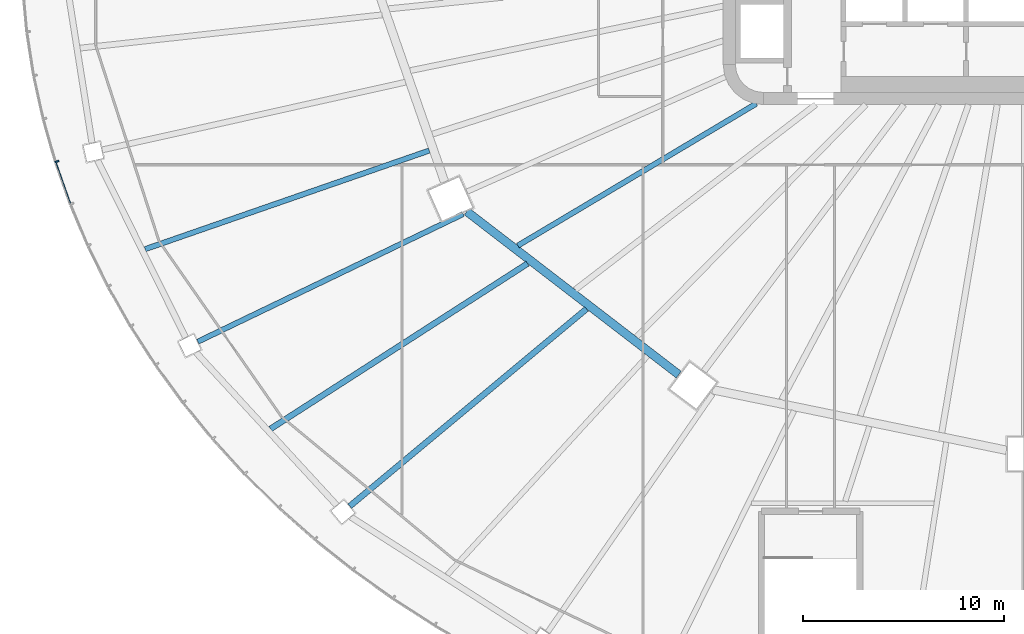
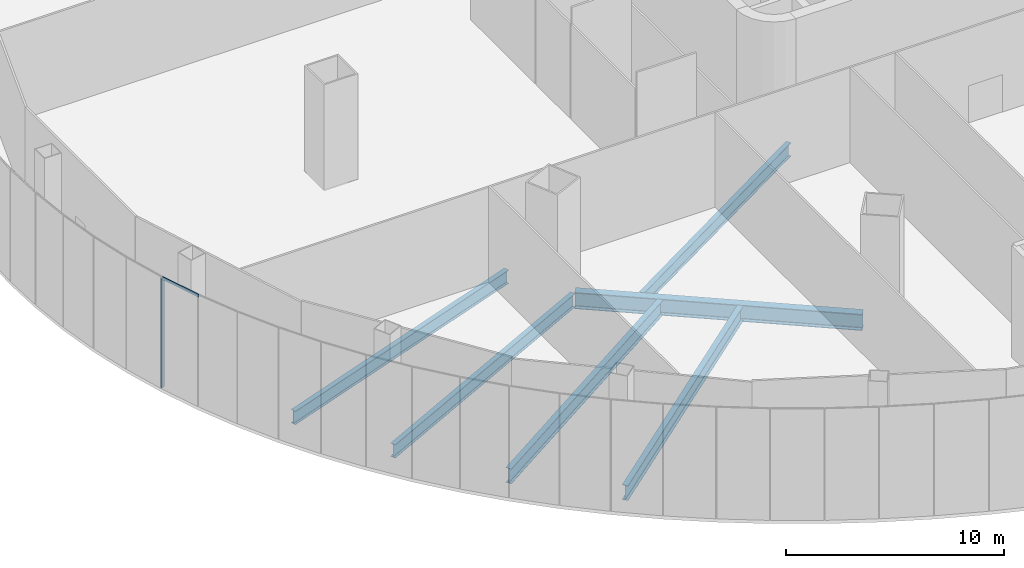
# One storey, part 3 of 33: 6 beams, 2 members, 1 element without a shape of its own.
"""IFC4 building model written with IfcOpenShell, lengths in metres."""

import ifcopenshell
import ifcopenshell.guid

model = None  # the IFC model being written
_history = None  # IfcOwnerHistory: only IFC2X3 demands one
_inside = {}  # id of a spatial element -> (the spatial element, [elements in it])
_under = {}  # id of a project, library or spatial element -> (it, [spatial elements below it])
_declared = {}  # id of a project -> (the project, [libraries it declares])
_typed = {}  # id of a type object -> (the type object, [elements of that type])
_made_of = {}  # id of a material, layer set ... -> (it, [elements and type objects made of it])


def new_model(schema):
    """Start an empty IFC model of exactly this schema.

    Asked for "IFC4X3", IfcOpenShell would pick the latest addendum, in which some entities
    have other attributes; the version numbers below select the first issue.
    IFC2X3 requires an IfcOwnerHistory on every rooted entity: one is made here for all.
    """
    global model, _history
    if schema == "IFC4X3":
        model = ifcopenshell.file(schema_version=(4, 3, 0, 0))
    else:
        model = ifcopenshell.file(schema=schema)
    _inside.clear()
    _under.clear()
    _declared.clear()
    _typed.clear()
    _made_of.clear()
    _history = None
    if model.schema == "IFC2X3":
        org = make("IfcOrganization", Name="unknown")
        user = make(
            "IfcPersonAndOrganization",
            ThePerson=make("IfcPerson", FamilyName="unknown"),
            TheOrganization=org,
        )
        app = make(
            "IfcApplication",
            ApplicationDeveloper=org,
            Version="unknown",
            ApplicationFullName="unknown",
            ApplicationIdentifier="unknown",
        )
        _history = make(
            "IfcOwnerHistory",
            OwningUser=user,
            OwningApplication=app,
            ChangeAction="ADDED",
            CreationDate=0,
        )
    return model


def make(cls, **values):
    """One entity of the class cls with the attributes given. An attribute that is None is left unset."""
    return model.create_entity(
        cls, **{name: value for name, value in values.items() if value is not None}
    )


def rooted(cls, **values):
    """An entity with a GlobalId (a new one), such as an element, a storey or a relation."""
    return make(cls, GlobalId=ifcopenshell.guid.new(), OwnerHistory=_history, **values)


def si_unit(unit_type, name, prefix=None):
    """IfcSIUnit, for example si_unit("LENGTHUNIT", "METRE", prefix="MILLI")."""
    return make("IfcSIUnit", UnitType=unit_type, Prefix=prefix, Name=name)


def assignment(units):
    """IfcUnitAssignment: the units of a project."""
    return None if units is None else make("IfcUnitAssignment", Units=units)


def point(xyz):
    """IfcCartesianPoint."""
    return None if xyz is None else make("IfcCartesianPoint", Coordinates=xyz)


def direction(xyz):
    """IfcDirection."""
    return None if xyz is None else make("IfcDirection", DirectionRatios=xyz)


def frame(location, z_axis=None, x_axis=None):
    """IfcAxis2Placement3D, a coordinate frame: its origin and axes. An axis left out is left unset."""
    return make(
        "IfcAxis2Placement3D",
        Location=point(location),
        Axis=direction(z_axis),
        RefDirection=direction(x_axis),
    )


def frame_2d(location, x_axis=None):
    """IfcAxis2Placement2D, a coordinate frame in the plane: its origin and x axis."""
    return make(
        "IfcAxis2Placement2D", Location=point(location), RefDirection=direction(x_axis)
    )


def origin():
    """The frame at (0, 0, 0) with its axes left unset."""
    return frame((0.0, 0.0, 0.0))


def origin_2d():
    """The frame at (0, 0) in the plane with its x axis left unset."""
    return frame_2d((0.0, 0.0))


def place(relative_to, where):
    """IfcLocalPlacement: puts the frame where relative to a parent placement (None: the world)."""
    return make(
        "IfcLocalPlacement", PlacementRelTo=relative_to, RelativePlacement=where
    )


def context(
    kind, dimensions, precision=None, world=None, true_north=None, identifier=None
):
    """IfcGeometricRepresentationContext, for example the 3D "Model" context."""
    return make(
        "IfcGeometricRepresentationContext",
        ContextIdentifier=identifier,
        ContextType=kind,
        CoordinateSpaceDimension=dimensions,
        Precision=precision,
        WorldCoordinateSystem=world,
        TrueNorth=true_north,
    )


def subcontext(parent, identifier, kind, view, scale=None):
    """IfcGeometricRepresentationSubContext, for example "Body" below "Model"."""
    return make(
        "IfcGeometricRepresentationSubContext",
        ContextIdentifier=identifier,
        ContextType=kind,
        ParentContext=parent,
        TargetScale=scale,
        TargetView=view,
    )


def project(units=None, contexts=None):
    """IfcProject with its units and contexts."""
    return rooted(
        "IfcProject",
        Name="project",
        RepresentationContexts=contexts,
        UnitsInContext=assignment(units),
    )


def spatial(cls, under=None, at=None, **own):
    """A site, building, storey or space (cls), placed at a placement, below another one or the project."""
    s = rooted(cls, ObjectPlacement=at, **own)
    if under is not None:
        _under.setdefault(under.id(), (under, []))[1].append(s)
    return s


def profile(cls, at=None, kind="AREA", **sizes):
    """A parametric profile (cls). Its sizes go by their IFC names, for example OverallWidth=200.0."""
    return make(cls, ProfileType=kind, Position=at, **sizes)


def rectangle(**sizes):
    """IfcRectangleProfileDef."""
    return profile("IfcRectangleProfileDef", **sizes)


def i_section(**sizes):
    """IfcIShapeProfileDef."""
    return profile("IfcIShapeProfileDef", **sizes)


def extrude(swept, where, along, depth):
    """IfcExtrudedAreaSolid: the profile swept, set in the frame where, extruded along a direction by depth."""
    return make(
        "IfcExtrudedAreaSolid",
        SweptArea=swept,
        Position=where,
        ExtrudedDirection=direction(along),
        Depth=depth,
    )


def shape(context_of_items, identifier, shape_type, items):
    """IfcShapeRepresentation: the items that make up one representation, for example the "Body"."""
    return make(
        "IfcShapeRepresentation",
        ContextOfItems=context_of_items,
        RepresentationIdentifier=identifier,
        RepresentationType=shape_type,
        Items=items,
    )


def material(Name=None, Category=None):
    """IfcMaterial."""
    return make("IfcMaterial", Name=Name, Category=Category)


def layer(
    of_material, thickness, ventilated=None, Name=None, Category=None, Priority=None
):
    """IfcMaterialLayer: one layer of a wall or slab, of a material (None: an air gap)."""
    return make(
        "IfcMaterialLayer",
        Material=of_material,
        LayerThickness=thickness,
        IsVentilated=ventilated,
        Name=Name,
        Category=Category,
        Priority=Priority,
    )


def layer_set(layers, Name=None):
    """IfcMaterialLayerSet."""
    return make("IfcMaterialLayerSet", MaterialLayers=layers, LayerSetName=Name)


def material_profile(
    of_material, cross_section, Name=None, Category=None, Priority=None
):
    """IfcMaterialProfile: a cross section and its material."""
    return make(
        "IfcMaterialProfile",
        Name=Name,
        Material=of_material,
        Profile=cross_section,
        Priority=Priority,
        Category=Category,
    )


def profile_set(profiles, Name=None, composite=None):
    """IfcMaterialProfileSet."""
    return make(
        "IfcMaterialProfileSet",
        Name=Name,
        MaterialProfiles=profiles,
        CompositeProfile=composite,
    )


def made_of(thing, what):
    """Note that an element or type object is made of a material, layer set ...; save() writes the relation."""
    if what is not None:
        _made_of.setdefault(what.id(), (what, []))[1].append(thing)
    return thing


def type_object(cls, material=None, **own):
    """A type object (cls), such as IfcWallType, which elements share."""
    return made_of(rooted(cls, **own), material)


def element(
    cls,
    number,
    at=None,
    inside=None,
    cuts=None,
    type_object=None,
    material=None,
    context=None,
    identifier="Body",
    shape_type=None,
    held_by="IfcProductDefinitionShape",
    body=None,
    shapes=None,
    **own,
):
    """One element of the class cls, such as IfcWall. Its Tag is "e" and its number.

    at: its placement. inside: the storey or other place that contains it. cuts: it is an
    opening in that element (IfcRelVoidsElement). A single representation is given by context,
    identifier, shape_type and body (its items); several are given by shapes. held_by: the class
    of the entity that holds the representations. save() writes the other relations.
    """
    e = rooted(cls, Tag="e%d" % number, ObjectPlacement=at, **own)
    if body is not None:
        shapes = [shape(context, identifier, shape_type, body)]
    if shapes is not None:
        e.Representation = make(held_by, Representations=shapes)
    if inside is not None:
        _inside.setdefault(inside.id(), (inside, []))[1].append(e)
    if cuts is not None:
        rooted(
            "IfcRelVoidsElement", RelatingBuildingElement=cuts, RelatedOpeningElement=e
        )
    if type_object is not None:
        _typed.setdefault(type_object.id(), (type_object, []))[1].append(e)
    return made_of(e, material)


def aggregate(whole, parts):
    """IfcRelAggregates: a whole, such as a stair, and the parts it consists of."""
    return rooted("IfcRelAggregates", RelatingObject=whole, RelatedObjects=parts)


def save(model, path):
    """Write the relations noted so far, then the file.

    IfcRelAggregates (storeys below a building ...), IfcRelContainedInSpatialStructure (elements
    in a storey), IfcRelDefinesByType, IfcRelAssociatesMaterial and IfcRelDeclares: one each for
    every whole, place, type object, material and project.
    """
    for whole, parts in _under.values():
        aggregate(whole, parts)
    for where, things in _inside.values():
        rooted(
            "IfcRelContainedInSpatialStructure",
            RelatedElements=things,
            RelatingStructure=where,
        )
    for kind, things in _typed.values():
        rooted("IfcRelDefinesByType", RelatedObjects=things, RelatingType=kind)
    for what, things in _made_of.values():
        rooted("IfcRelAssociatesMaterial", RelatedObjects=things, RelatingMaterial=what)
    for by, libraries in _declared.values():
        rooted("IfcRelDeclares", RelatingContext=by, RelatedDefinitions=libraries)
    model.write(path)


model = new_model("IFC4")

# Units and contexts
model_context = context("Model", 3, precision=1e-05, world=origin(), true_north=direction((0.0, 1.0)))
body_context = subcontext(model_context, "Body", "Model", "MODEL_VIEW")
ifc_project = project(units=[si_unit("LENGTHUNIT", "METRE"), si_unit("AREAUNIT", "SQUARE_METRE"), si_unit("VOLUMEUNIT", "CUBIC_METRE"), si_unit("PLANEANGLEUNIT", "RADIAN"), si_unit("MASSUNIT", "GRAM", prefix="KILO")], contexts=[model_context])

# Site, building, storey
site_placement = place(None, origin())
site = spatial("IfcSite", under=ifc_project, at=site_placement, CompositionType="ELEMENT")
building_placement = place(site_placement, origin())
building = spatial("IfcBuilding", under=site, at=building_placement, Name="Sahrelin Media Tower", CompositionType="ELEMENT")
storey_placement = place(building_placement, frame((0.0, 0.0, 37.39990234375)))
storey = spatial("IfcBuildingStorey", under=building, at=storey_placement, Name="L05", CompositionType="ELEMENT", Elevation=37.39990234375)

# Curtain wall, member
ifc_material_1 = material(Name="Champagne anodised aluminium 6063-T6", Category="aluminium")
ifc_layer = layer(ifc_material_1, 0.14990234375)
ifc_layer_set = layer_set([ifc_layer], Name="Podium ribbon curtain wall")
curtain_wall_type = type_object("IfcCurtainWallType", Name="Podium ribbon curtain wall", PredefinedType="NOTDEFINED", material=ifc_layer_set)
curtain_wall_placement = place(storey_placement, frame((-48.29638671875, -10.870361328125, 0.0), z_axis=(0.0, 0.0, 1.0), x_axis=(1.0, 0.0, 0.0)))
curtain_wall = element("IfcCurtainWall", 1, at=curtain_wall_placement, inside=storey, type_object=curtain_wall_type, Name="L05:CW:L05-P13", PredefinedType="NOTDEFINED")
ifc_material_profile_1 = material_profile(ifc_material_1, rectangle(XDim=0.080078125, YDim=0.199951171875, at=origin_2d()), Name="Mullion 80x200")
ifc_profile_set_1 = profile_set([ifc_material_profile_1], Name="Champagne anodised aluminium 6063-T6")
member_type_1 = type_object("IfcMemberType", Name="Mullion 80x200 CW5", PredefinedType="MULLION", material=ifc_profile_set_1)
member_1_placement = place(storey_placement, frame((-48.18310546875, -10.83056640625, 0.0), z_axis=(0.0, 0.0, 1.0), x_axis=(0.332579242691, -0.943075313711, 0.0)))
member_1 = element("IfcMember", 2, at=member_1_placement, type_object=member_type_1, Name="L05:CWM1:L05-P13", PredefinedType="MULLION", context=body_context, shape_type="SweptSolid", body=[
    extrude(rectangle(XDim=0.080078125, YDim=0.199951171875, at=origin_2d()), origin(), (0.0, 0.0, 1.0), 6.10009765625),
])

# Beams
ifc_material_2 = material(Name="Steel S355", Category="steel")
ifc_material_profile_2 = material_profile(ifc_material_2, i_section(OverallWidth=0.41845703125, OverallDepth=0.911865234375, WebThickness=0.019287109375, FlangeThickness=0.031982421875, FilletRadius=0.024169921875, at=origin_2d()), Name="UB 914x419x343")
ifc_profile_set_2 = profile_set([ifc_material_profile_2], Name="Steel S355")
beam_type_1 = type_object("IfcBeamType", Name="Podium ring girder PG12", PredefinedType="BEAM", material=ifc_profile_set_2)
beam_1_placement = place(storey_placement, frame((-27.767578125, -13.324462890625, -0.65576171875), z_axis=(0.792445416108, -0.609942835428, 0.0), x_axis=(0.609942835428, 0.792445416108, 0.0)))
element("IfcBeam", 3, at=beam_1_placement, inside=storey, type_object=beam_type_1, Name="Podium girder L05-08", PredefinedType="BEAM", context=body_context, shape_type="SweptSolid", body=[
    extrude(i_section(OverallWidth=0.41845703125, OverallDepth=0.911865234375, WebThickness=0.019287109375, FlangeThickness=0.031982421875, FilletRadius=0.024169921875, at=origin_2d()), origin(), (0.0, 0.0, 1.0), 13.318603515625),
])
ifc_material_profile_3 = material_profile(ifc_material_2, i_section(OverallWidth=0.291748046875, OverallDepth=0.8349609375, WebThickness=0.013916015625, FlangeThickness=0.018798828125, FilletRadius=0.017822265625, at=origin_2d()), Name="UB 838x292x176")
ifc_profile_set_3 = profile_set([ifc_material_profile_3], Name="Steel S355")
beam_type_2 = type_object("IfcBeamType", Name="Radial primary beam PB10", PredefinedType="BEAM", material=ifc_profile_set_3)
beam_2_placement = place(storey_placement, frame((-21.809326171875, -18.174560546875, -0.617431640625), z_axis=(-0.768229105739, -0.640175008178, 0.0), x_axis=(0.640175008178, -0.768229105739, 0.0)))
element("IfcBeam", 4, at=beam_2_placement, inside=storey, type_object=beam_type_2, Name="Radial beam L05-18", PredefinedType="BEAM", context=body_context, shape_type="SweptSolid", body=[
    extrude(i_section(OverallWidth=0.291748046875, OverallDepth=0.8349609375, WebThickness=0.013916015625, FlangeThickness=0.018798828125, FilletRadius=0.017822265625, at=origin_2d()), origin(), (0.0, 0.0, 1.0), 15.342041015625),
])
ifc_material_profile_4 = material_profile(ifc_material_2, i_section(OverallWidth=0.26513671875, OverallDepth=0.75390625, WebThickness=0.0126953125, FlangeThickness=0.017578125, FilletRadius=0.0166015625, at=origin_2d()), Name="UB 762x267x147")
ifc_profile_set_4 = profile_set([ifc_material_profile_4], Name="Steel S355")
beam_type_3 = type_object("IfcBeamType", Name="Radial primary beam PB9", PredefinedType="BEAM", material=ifc_profile_set_4)
beam_3_placement = place(storey_placement, frame((-27.950439453125, -13.44775390625, -0.576904296875), z_axis=(-0.901130102072, -0.433548773657, 0.0), x_axis=(0.433548773657, -0.901130102072, 0.0)))
element("IfcBeam", 5, at=beam_3_placement, inside=storey, type_object=beam_type_3, Name="Radial beam L05-17", PredefinedType="BEAM", context=body_context, shape_type="SweptSolid", body=[
    extrude(i_section(OverallWidth=0.26513671875, OverallDepth=0.75390625, WebThickness=0.0126953125, FlangeThickness=0.017578125, FilletRadius=0.0166015625, at=origin_2d()), origin(), (0.0, 0.0, 1.0), 14.6630859375),
])
ifc_material_profile_5 = material_profile(ifc_material_2, i_section(OverallWidth=0.291748046875, OverallDepth=0.8349609375, WebThickness=0.013916015625, FlangeThickness=0.018798828125, FilletRadius=0.017822265625, at=origin_2d()), Name="UB 838x292x176")
ifc_profile_set_5 = profile_set([ifc_material_profile_5], Name="Steel S355")
beam_type_4 = type_object("IfcBeamType", Name="Radial secondary beam SB10", PredefinedType="BEAM", material=ifc_profile_set_5)
beam_4_placement = place(storey_placement, frame((-24.744140625, -15.91552734375, -0.617431640625), z_axis=(-0.84104292767, -0.540968385228, 0.0), x_axis=(0.540968385228, -0.84104292767, 0.0)))
element("IfcBeam", 6, at=beam_4_placement, inside=storey, type_object=beam_type_4, Name="Secondary beam L05-15", PredefinedType="BEAM", context=body_context, shape_type="SweptSolid", body=[
    extrude(i_section(OverallWidth=0.291748046875, OverallDepth=0.8349609375, WebThickness=0.013916015625, FlangeThickness=0.018798828125, FilletRadius=0.017822265625, at=origin_2d()), origin(), (0.0, 0.0, 1.0), 15.218505859375),
])
ifc_material_profile_6 = material_profile(ifc_material_2, i_section(OverallWidth=0.26513671875, OverallDepth=0.75390625, WebThickness=0.0126953125, FlangeThickness=0.017578125, FilletRadius=0.0166015625, at=origin_2d()), Name="UB 762x267x147")
ifc_profile_set_6 = profile_set([ifc_material_profile_6], Name="Steel S355")
beam_type_5 = type_object("IfcBeamType", Name="Radial secondary beam SB9", PredefinedType="BEAM", material=ifc_profile_set_6)
beam_5_placement = place(storey_placement, frame((-13.356201171875, -7.953125, -0.576904296875), z_axis=(-0.859199265621, -0.511641106594, 0.0), x_axis=(0.511641106594, -0.859199265621, 0.0)))
element("IfcBeam", 7, at=beam_5_placement, inside=storey, type_object=beam_type_5, Name="Secondary beam L05-15", PredefinedType="BEAM", context=body_context, shape_type="SweptSolid", body=[
    extrude(i_section(OverallWidth=0.26513671875, OverallDepth=0.75390625, WebThickness=0.0126953125, FlangeThickness=0.017578125, FilletRadius=0.0166015625, at=origin_2d()), origin(), (0.0, 0.0, 1.0), 13.810791015625),
])
beam_6_placement = place(storey_placement, frame((-29.640380859375, -10.287109375, -0.576904296875), z_axis=(-0.944713020182, -0.32789832189, 0.0), x_axis=(0.32789832189, -0.944713020182, 0.0)))
element("IfcBeam", 8, at=beam_6_placement, inside=storey, type_object=beam_type_5, Name="Secondary beam L05-14", PredefinedType="BEAM", context=body_context, shape_type="SweptSolid", body=[
    extrude(i_section(OverallWidth=0.26513671875, OverallDepth=0.75390625, WebThickness=0.0126953125, FlangeThickness=0.017578125, FilletRadius=0.0166015625, at=origin_2d()), origin(), (0.0, 0.0, 1.0), 14.974609375),
])

# Member
ifc_material_profile_7 = material_profile(ifc_material_1, rectangle(XDim=0.06005859375, YDim=0.14990234375, at=origin_2d()), Name="Transom 60x150")
ifc_profile_set_7 = profile_set([ifc_material_profile_7], Name="Champagne anodised aluminium 6063-T6")
member_type_2 = type_object("IfcMemberType", Name="Transom 60x150 CW5", PredefinedType="USERDEFINED", material=ifc_profile_set_7)
member_2_placement = place(storey_placement, frame((-48.232421875, -10.90087890625, 6.175048828125), z_axis=(0.332533804203, -0.943091336543, 0.0), x_axis=(0.943091336543, 0.332533804203, 0.0)))
member_2 = element("IfcMember", 9, at=member_2_placement, type_object=member_type_2, Name="L05:CWT1a:L05-P13", ObjectType="TRANSOM", PredefinedType="USERDEFINED", context=body_context, shape_type="SweptSolid", body=[
    extrude(rectangle(XDim=0.06005859375, YDim=0.14990234375, at=origin_2d()), origin(), (0.0, 0.0, 1.0), 2.185546875),
])

aggregate(curtain_wall, [member_1, member_2])

save(model, "model.ifc")
